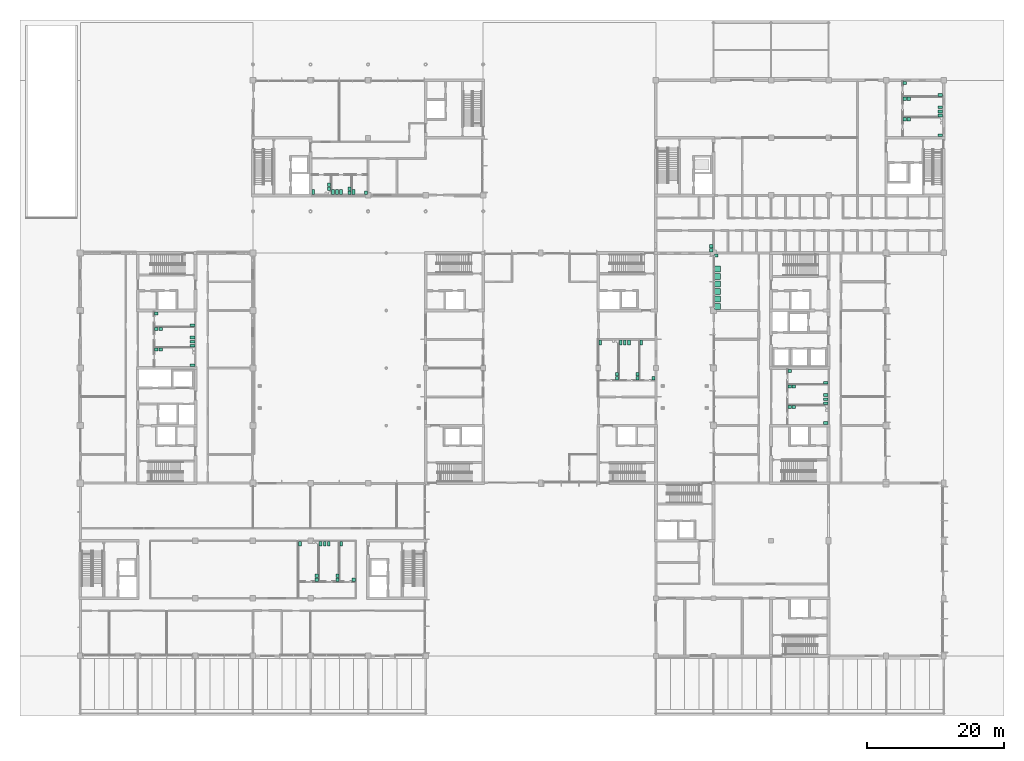
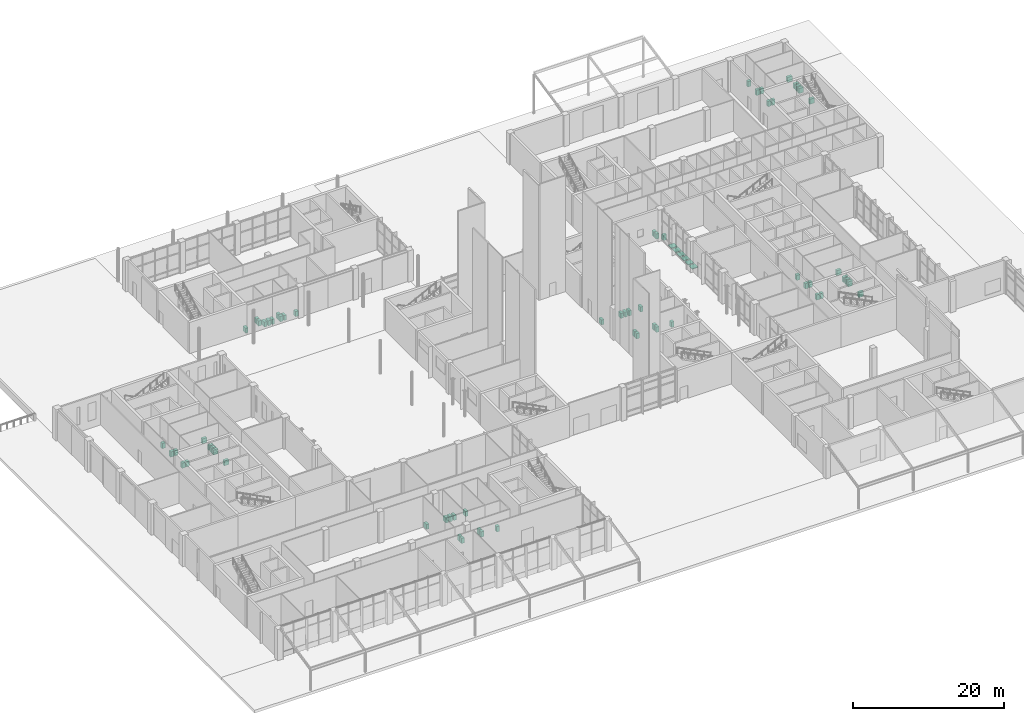
# One storey, part 73 of 76: 69 sanitary terminals.
"""IFC4 building model written with IfcOpenShell, lengths in metres."""

from ifc_helpers import new_model, si_unit, direction, frame, origin, origin_2d, place, context, subcontext, project, spatial, rectangle, extrude, element, save


model = new_model("IFC4")

# Units and contexts
model_context = context("Model", 3, precision=1e-05, world=origin(), true_north=direction((0.0, 1.0)))
body_context = subcontext(model_context, "Body", "Model", "MODEL_VIEW")
ifc_project = project(units=[si_unit("LENGTHUNIT", "METRE"), si_unit("AREAUNIT", "SQUARE_METRE"), si_unit("VOLUMEUNIT", "CUBIC_METRE"), si_unit("PLANEANGLEUNIT", "RADIAN"), si_unit("MASSUNIT", "GRAM", prefix="KILO")], contexts=[model_context])

# Site, building, storey
site_placement = place(None, origin())
site = spatial("IfcSite", under=ifc_project, at=site_placement, CompositionType="ELEMENT")
building_placement = place(site_placement, origin())
building = spatial("IfcBuilding", under=site, at=building_placement, Name="Hlaing Beacon Police Headquarters", CompositionType="ELEMENT")
storey_placement = place(building_placement, origin())
storey = spatial("IfcBuildingStorey", under=building, at=storey_placement, Name="L00", CompositionType="ELEMENT", Elevation=0.0)

# Sanitary terminals
sanitary_terminal_1_placement = place(storey_placement, frame((90.262939453125, 54.14990234375, 0.0), z_axis=(0.0, 0.0, 1.0), x_axis=(1.0, 0.0, 0.0)))
element("IfcSanitaryTerminal", 1, at=sanitary_terminal_1_placement, inside=storey, Name="Water closet", PredefinedType="TOILETPAN", context=body_context, shape_type="SweptSolid", body=[
    extrude(rectangle(XDim=0.39990234375, YDim=0.699951171875, at=origin_2d()), origin(), (0.0, 0.0, 1.0), 0.800048828125),
])
sanitary_terminal_2_placement = place(storey_placement, frame((92.02490234375, 48.912109375, 0.0), z_axis=(0.0, 0.0, 1.0), x_axis=(1.0, 0.0, 0.0)))
element("IfcSanitaryTerminal", 2, at=sanitary_terminal_2_placement, inside=storey, Name="Wash basin", PredefinedType="WASHHANDBASIN", context=body_context, shape_type="SweptSolid", body=[
    extrude(rectangle(XDim=0.449951171875, YDim=0.5, at=origin_2d()), origin(), (0.0, 0.0, 1.0), 0.85009765625),
])
for number, where, z_axis, x_axis, name in (
    (3, (87.261962890625, 54.14990234375, 0.0), (0.0, 0.0, 1.0), (1.0, 0.0, 0.0), "Water closet"),
    (4, (87.863037109375, 54.14990234375, 0.0), (0.0, 0.0, 1.0), (1.0, 0.0, 0.0), "Water closet"),
    (5, (88.462890625, 54.14990234375, 0.0), (0.0, 0.0, 1.0), (1.0, 0.0, 0.0), "Water closet"),
):
    element("IfcSanitaryTerminal", number, at=place(storey_placement, frame(where, z_axis=z_axis, x_axis=x_axis)), inside=storey, Name=name, PredefinedType="TOILETPAN", context=body_context, shape_type="SweptSolid", body=[
        extrude(rectangle(XDim=0.39990234375, YDim=0.699951171875, at=origin_2d()), origin(), (0.0, 0.0, 1.0), 0.800048828125),
    ])
for number, where, z_axis, x_axis, name in (
    (6, (89.7119140625, 48.912109375, 0.0), (0.0, 0.0, 1.0), (1.0, 0.0, 0.0), "Wash basin"),
    (7, (89.7119140625, 49.512939453125, 0.0), (0.0, 0.0, 1.0), (1.0, 0.0, 0.0), "Wash basin"),
):
    element("IfcSanitaryTerminal", number, at=place(storey_placement, frame(where, z_axis=z_axis, x_axis=x_axis)), inside=storey, Name=name, PredefinedType="WASHHANDBASIN", context=body_context, shape_type="SweptSolid", body=[
        extrude(rectangle(XDim=0.449951171875, YDim=0.5, at=origin_2d()), origin(), (0.0, 0.0, 1.0), 0.85009765625),
    ])
sanitary_terminal_3_placement = place(storey_placement, frame((84.262939453125, 54.14990234375, 0.0), z_axis=(0.0, 0.0, 1.0), x_axis=(1.0, 0.0, 0.0)))
element("IfcSanitaryTerminal", 8, at=sanitary_terminal_3_placement, inside=storey, Name="Water closet", PredefinedType="TOILETPAN", context=body_context, shape_type="SweptSolid", body=[
    extrude(rectangle(XDim=0.39990234375, YDim=0.699951171875, at=origin_2d()), origin(), (0.0, 0.0, 1.0), 0.800048828125),
])
for number, where, z_axis, x_axis, name in (
    (9, (86.712890625, 48.912109375, 0.0), (0.0, 0.0, 1.0), (1.0, 0.0, 0.0), "Wash basin"),
    (10, (86.712890625, 49.512939453125, 0.0), (0.0, 0.0, 1.0), (1.0, 0.0, 0.0), "Wash basin"),
):
    element("IfcSanitaryTerminal", number, at=place(storey_placement, frame(where, z_axis=z_axis, x_axis=x_axis)), inside=storey, Name=name, PredefinedType="WASHHANDBASIN", context=body_context, shape_type="SweptSolid", body=[
        extrude(rectangle(XDim=0.449951171875, YDim=0.5, at=origin_2d()), origin(), (0.0, 0.0, 1.0), 0.85009765625),
    ])
sanitary_terminal_4_placement = place(storey_placement, frame((48.262939453125, 76.10009765625, 0.0), z_axis=(0.0, 0.0, 1.0), x_axis=(1.0, 0.0, 0.0)))
element("IfcSanitaryTerminal", 11, at=sanitary_terminal_4_placement, inside=storey, Name="Water closet", PredefinedType="TOILETPAN", context=body_context, shape_type="SweptSolid", body=[
    extrude(rectangle(XDim=0.39990234375, YDim=0.699951171875, at=origin_2d()), origin(), (0.0, 0.0, 1.0), 0.800048828125),
])
sanitary_terminal_5_placement = place(storey_placement, frame((50.074951171875, 76.0, 0.0), z_axis=(0.0, 0.0, 1.0), x_axis=(1.0, 0.0, 0.0)))
element("IfcSanitaryTerminal", 12, at=sanitary_terminal_5_placement, inside=storey, Name="Wash basin", PredefinedType="WASHHANDBASIN", context=body_context, shape_type="SweptSolid", body=[
    extrude(rectangle(XDim=0.449951171875, YDim=0.5, at=origin_2d()), origin(), (0.0, 0.0, 1.0), 0.85009765625),
])
for number, where, z_axis, x_axis, name in (
    (13, (45.261962890625, 76.10009765625, 0.0), (0.0, 0.0, 1.0), (1.0, 0.0, 0.0), "Water closet"),
    (14, (45.863037109375, 76.10009765625, 0.0), (0.0, 0.0, 1.0), (1.0, 0.0, 0.0), "Water closet"),
    (15, (46.4619140625, 76.10009765625, 0.0), (0.0, 0.0, 1.0), (1.0, 0.0, 0.0), "Water closet"),
):
    element("IfcSanitaryTerminal", number, at=place(storey_placement, frame(where, z_axis=z_axis, x_axis=x_axis)), inside=storey, Name=name, PredefinedType="TOILETPAN", context=body_context, shape_type="SweptSolid", body=[
        extrude(rectangle(XDim=0.39990234375, YDim=0.699951171875, at=origin_2d()), origin(), (0.0, 0.0, 1.0), 0.800048828125),
    ])
for number, where, z_axis, x_axis, name in (
    (16, (47.712890625, 76.0, 0.0), (0.0, 0.0, 1.0), (1.0, 0.0, 0.0), "Wash basin"),
    (17, (47.712890625, 76.60009765625, 0.0), (0.0, 0.0, 1.0), (1.0, 0.0, 0.0), "Wash basin"),
):
    element("IfcSanitaryTerminal", number, at=place(storey_placement, frame(where, z_axis=z_axis, x_axis=x_axis)), inside=storey, Name=name, PredefinedType="WASHHANDBASIN", context=body_context, shape_type="SweptSolid", body=[
        extrude(rectangle(XDim=0.449951171875, YDim=0.5, at=origin_2d()), origin(), (0.0, 0.0, 1.0), 0.85009765625),
    ])
sanitary_terminal_6_placement = place(storey_placement, frame((42.39990234375, 76.10009765625, 0.0), z_axis=(0.0, 0.0, 1.0), x_axis=(1.0, 0.0, 0.0)))
element("IfcSanitaryTerminal", 18, at=sanitary_terminal_6_placement, inside=storey, Name="Water closet", PredefinedType="TOILETPAN", context=body_context, shape_type="SweptSolid", body=[
    extrude(rectangle(XDim=0.39990234375, YDim=0.699951171875, at=origin_2d()), origin(), (0.0, 0.0, 1.0), 0.800048828125),
])
for number, where, z_axis, x_axis, name in (
    (19, (44.712890625, 76.550048828125, 0.0), (0.0, 0.0, 1.0), (1.0, 0.0, 0.0), "Wash basin"),
    (20, (44.712890625, 77.14990234375, 0.0), (0.0, 0.0, 1.0), (1.0, 0.0, 0.0), "Wash basin"),
):
    element("IfcSanitaryTerminal", number, at=place(storey_placement, frame(where, z_axis=z_axis, x_axis=x_axis)), inside=storey, Name=name, PredefinedType="WASHHANDBASIN", context=body_context, shape_type="SweptSolid", body=[
        extrude(rectangle(XDim=0.449951171875, YDim=0.5, at=origin_2d()), origin(), (0.0, 0.0, 1.0), 0.85009765625),
    ])
sanitary_terminal_7_placement = place(storey_placement, frame((46.462890625, 24.77490234375, 0.0), z_axis=(0.0, 0.0, 1.0), x_axis=(1.0, 0.0, 0.0)))
element("IfcSanitaryTerminal", 21, at=sanitary_terminal_7_placement, inside=storey, Name="Water closet", PredefinedType="TOILETPAN", context=body_context, shape_type="SweptSolid", body=[
    extrude(rectangle(XDim=0.39990234375, YDim=0.699951171875, at=origin_2d()), origin(), (0.0, 0.0, 1.0), 0.800048828125),
])
sanitary_terminal_8_placement = place(storey_placement, frame((48.300048828125, 19.511962890625, 0.0), z_axis=(0.0, 0.0, 1.0), x_axis=(1.0, 0.0, 0.0)))
element("IfcSanitaryTerminal", 22, at=sanitary_terminal_8_placement, inside=storey, Name="Wash basin", PredefinedType="WASHHANDBASIN", context=body_context, shape_type="SweptSolid", body=[
    extrude(rectangle(XDim=0.449951171875, YDim=0.5, at=origin_2d()), origin(), (0.0, 0.0, 1.0), 0.85009765625),
])
for number, where, z_axis, x_axis, name in (
    (23, (43.462890625, 24.77490234375, 0.0), (0.0, 0.0, 1.0), (1.0, 0.0, 0.0), "Water closet"),
    (24, (44.06201171875, 24.77490234375, 0.0), (0.0, 0.0, 1.0), (1.0, 0.0, 0.0), "Water closet"),
    (25, (44.6630859375, 24.77490234375, 0.0), (0.0, 0.0, 1.0), (1.0, 0.0, 0.0), "Water closet"),
):
    element("IfcSanitaryTerminal", number, at=place(storey_placement, frame(where, z_axis=z_axis, x_axis=x_axis)), inside=storey, Name=name, PredefinedType="TOILETPAN", context=body_context, shape_type="SweptSolid", body=[
        extrude(rectangle(XDim=0.39990234375, YDim=0.699951171875, at=origin_2d()), origin(), (0.0, 0.0, 1.0), 0.800048828125),
    ])
for number, where, z_axis, x_axis, name in (
    (26, (45.912109375, 19.511962890625, 0.0), (0.0, 0.0, 1.0), (1.0, 0.0, 0.0), "Wash basin"),
    (27, (45.912109375, 20.113037109375, 0.0), (0.0, 0.0, 1.0), (1.0, 0.0, 0.0), "Wash basin"),
):
    element("IfcSanitaryTerminal", number, at=place(storey_placement, frame(where, z_axis=z_axis, x_axis=x_axis)), inside=storey, Name=name, PredefinedType="WASHHANDBASIN", context=body_context, shape_type="SweptSolid", body=[
        extrude(rectangle(XDim=0.449951171875, YDim=0.5, at=origin_2d()), origin(), (0.0, 0.0, 1.0), 0.85009765625),
    ])
sanitary_terminal_9_placement = place(storey_placement, frame((40.462890625, 24.77490234375, 0.0), z_axis=(0.0, 0.0, 1.0), x_axis=(1.0, 0.0, 0.0)))
element("IfcSanitaryTerminal", 28, at=sanitary_terminal_9_placement, inside=storey, Name="Water closet", PredefinedType="TOILETPAN", context=body_context, shape_type="SweptSolid", body=[
    extrude(rectangle(XDim=0.39990234375, YDim=0.699951171875, at=origin_2d()), origin(), (0.0, 0.0, 1.0), 0.800048828125),
])
for number, where, z_axis, x_axis, name in (
    (29, (42.912109375, 19.511962890625, 0.0), (0.0, 0.0, 1.0), (1.0, 0.0, 0.0), "Wash basin"),
    (30, (42.912109375, 20.113037109375, 0.0), (0.0, 0.0, 1.0), (1.0, 0.0, 0.0), "Wash basin"),
):
    element("IfcSanitaryTerminal", number, at=place(storey_placement, frame(where, z_axis=z_axis, x_axis=x_axis)), inside=storey, Name=name, PredefinedType="WASHHANDBASIN", context=body_context, shape_type="SweptSolid", body=[
        extrude(rectangle(XDim=0.449951171875, YDim=0.5, at=origin_2d()), origin(), (0.0, 0.0, 1.0), 0.85009765625),
    ])
sanitary_terminal_10_placement = place(storey_placement, frame((117.175048828125, 48.262939453125, 0.0), z_axis=(0.0, 0.0, 1.0), x_axis=(1.0, 0.0, 0.0)))
element("IfcSanitaryTerminal", 31, at=sanitary_terminal_10_placement, inside=storey, Name="Water closet", PredefinedType="TOILETPAN", context=body_context, shape_type="SweptSolid", body=[
    extrude(rectangle(XDim=0.699951171875, YDim=0.39990234375, at=origin_2d()), origin(), (0.0, 0.0, 1.0), 0.800048828125),
])
sanitary_terminal_11_placement = place(storey_placement, frame((111.912109375, 49.97509765625, 0.0), z_axis=(0.0, 0.0, 1.0), x_axis=(1.0, 0.0, 0.0)))
element("IfcSanitaryTerminal", 32, at=sanitary_terminal_11_placement, inside=storey, Name="Wash basin", PredefinedType="WASHHANDBASIN", context=body_context, shape_type="SweptSolid", body=[
    extrude(rectangle(XDim=0.5, YDim=0.449951171875, at=origin_2d()), origin(), (0.0, 0.0, 1.0), 0.85009765625),
])
for number, where, z_axis, x_axis, name in (
    (33, (117.175048828125, 45.261962890625, 0.0), (0.0, 0.0, 1.0), (1.0, 0.0, 0.0), "Water closet"),
    (34, (117.175048828125, 45.863037109375, 0.0), (0.0, 0.0, 1.0), (1.0, 0.0, 0.0), "Water closet"),
    (35, (117.175048828125, 46.4619140625, 0.0), (0.0, 0.0, 1.0), (1.0, 0.0, 0.0), "Water closet"),
):
    element("IfcSanitaryTerminal", number, at=place(storey_placement, frame(where, z_axis=z_axis, x_axis=x_axis)), inside=storey, Name=name, PredefinedType="TOILETPAN", context=body_context, shape_type="SweptSolid", body=[
        extrude(rectangle(XDim=0.699951171875, YDim=0.39990234375, at=origin_2d()), origin(), (0.0, 0.0, 1.0), 0.800048828125),
    ])
for number, where, z_axis, x_axis, name in (
    (36, (111.912109375, 47.712890625, 0.0), (0.0, 0.0, 1.0), (1.0, 0.0, 0.0), "Wash basin"),
    (37, (112.511962890625, 47.712890625, 0.0), (0.0, 0.0, 1.0), (1.0, 0.0, 0.0), "Wash basin"),
):
    element("IfcSanitaryTerminal", number, at=place(storey_placement, frame(where, z_axis=z_axis, x_axis=x_axis)), inside=storey, Name=name, PredefinedType="WASHHANDBASIN", context=body_context, shape_type="SweptSolid", body=[
        extrude(rectangle(XDim=0.5, YDim=0.449951171875, at=origin_2d()), origin(), (0.0, 0.0, 1.0), 0.85009765625),
    ])
sanitary_terminal_12_placement = place(storey_placement, frame((117.175048828125, 42.39990234375, 0.0), z_axis=(0.0, 0.0, 1.0), x_axis=(1.0, 0.0, 0.0)))
element("IfcSanitaryTerminal", 38, at=sanitary_terminal_12_placement, inside=storey, Name="Water closet", PredefinedType="TOILETPAN", context=body_context, shape_type="SweptSolid", body=[
    extrude(rectangle(XDim=0.699951171875, YDim=0.39990234375, at=origin_2d()), origin(), (0.0, 0.0, 1.0), 0.800048828125),
])
for number, where, z_axis, x_axis, name in (
    (39, (111.912109375, 44.712890625, 0.0), (0.0, 0.0, 1.0), (1.0, 0.0, 0.0), "Wash basin"),
    (40, (112.511962890625, 44.712890625, 0.0), (0.0, 0.0, 1.0), (1.0, 0.0, 0.0), "Wash basin"),
):
    element("IfcSanitaryTerminal", number, at=place(storey_placement, frame(where, z_axis=z_axis, x_axis=x_axis)), inside=storey, Name=name, PredefinedType="WASHHANDBASIN", context=body_context, shape_type="SweptSolid", body=[
        extrude(rectangle(XDim=0.5, YDim=0.449951171875, at=origin_2d()), origin(), (0.0, 0.0, 1.0), 0.85009765625),
    ])
for number, where, z_axis, x_axis, name in (
    (41, (101.39990234375, 59.375, 0.0), (0.0, 0.0, 1.0), (1.0, 0.0, 0.0), "Shower tray"),
    (42, (101.39990234375, 60.47509765625, 0.0), (0.0, 0.0, 1.0), (1.0, 0.0, 0.0), "Shower tray"),
    (43, (101.39990234375, 61.574951171875, 0.0), (0.0, 0.0, 1.0), (1.0, 0.0, 0.0), "Shower tray"),
    (44, (101.39990234375, 62.675048828125, 0.0), (0.0, 0.0, 1.0), (1.0, 0.0, 0.0), "Shower tray"),
    (45, (101.39990234375, 63.77490234375, 0.0), (0.0, 0.0, 1.0), (1.0, 0.0, 0.0), "Shower tray"),
    (46, (101.39990234375, 64.875, 0.0), (0.0, 0.0, 1.0), (1.0, 0.0, 0.0), "Shower tray"),
):
    element("IfcSanitaryTerminal", number, at=place(storey_placement, frame(where, z_axis=z_axis, x_axis=x_axis)), inside=storey, Name=name, PredefinedType="SHOWER", context=body_context, shape_type="SweptSolid", body=[
        extrude(rectangle(XDim=0.89990234375, YDim=0.89990234375, at=origin_2d()), origin(), (0.0, 0.0, 1.0), 0.10009765625),
    ])
sanitary_terminal_13_placement = place(storey_placement, frame((101.199951171875, 66.824951171875, 0.0), z_axis=(0.0, 0.0, 1.0), x_axis=(1.0, 0.0, 0.0)))
element("IfcSanitaryTerminal", 47, at=sanitary_terminal_13_placement, inside=storey, Name="Wash basin", PredefinedType="WASHHANDBASIN", context=body_context, shape_type="SweptSolid", body=[
    extrude(rectangle(XDim=0.5, YDim=0.449951171875, at=origin_2d()), origin(), (0.0, 0.0, 1.0), 0.85009765625),
])
sanitary_terminal_14_placement = place(storey_placement, frame((24.77490234375, 56.6630859375, 0.0), z_axis=(0.0, 0.0, 1.0), x_axis=(1.0, 0.0, 0.0)))
element("IfcSanitaryTerminal", 48, at=sanitary_terminal_14_placement, inside=storey, Name="Water closet", PredefinedType="TOILETPAN", context=body_context, shape_type="SweptSolid", body=[
    extrude(rectangle(XDim=0.699951171875, YDim=0.39990234375, at=origin_2d()), origin(), (0.0, 0.0, 1.0), 0.800048828125),
])
sanitary_terminal_15_placement = place(storey_placement, frame((19.511962890625, 58.375, 0.0), z_axis=(0.0, 0.0, 1.0), x_axis=(1.0, 0.0, 0.0)))
element("IfcSanitaryTerminal", 49, at=sanitary_terminal_15_placement, inside=storey, Name="Wash basin", PredefinedType="WASHHANDBASIN", context=body_context, shape_type="SweptSolid", body=[
    extrude(rectangle(XDim=0.5, YDim=0.449951171875, at=origin_2d()), origin(), (0.0, 0.0, 1.0), 0.85009765625),
])
for number, where, z_axis, x_axis, name in (
    (50, (24.77490234375, 53.6630859375, 0.0), (0.0, 0.0, 1.0), (1.0, 0.0, 0.0), "Water closet"),
    (51, (24.77490234375, 54.261962890625, 0.0), (0.0, 0.0, 1.0), (1.0, 0.0, 0.0), "Water closet"),
    (52, (24.77490234375, 54.863037109375, 0.0), (0.0, 0.0, 1.0), (1.0, 0.0, 0.0), "Water closet"),
):
    element("IfcSanitaryTerminal", number, at=place(storey_placement, frame(where, z_axis=z_axis, x_axis=x_axis)), inside=storey, Name=name, PredefinedType="TOILETPAN", context=body_context, shape_type="SweptSolid", body=[
        extrude(rectangle(XDim=0.699951171875, YDim=0.39990234375, at=origin_2d()), origin(), (0.0, 0.0, 1.0), 0.800048828125),
    ])
for number, where, z_axis, x_axis, name in (
    (53, (19.511962890625, 56.112060546875, 0.0), (0.0, 0.0, 1.0), (1.0, 0.0, 0.0), "Wash basin"),
    (54, (20.113037109375, 56.112060546875, 0.0), (0.0, 0.0, 1.0), (1.0, 0.0, 0.0), "Wash basin"),
):
    element("IfcSanitaryTerminal", number, at=place(storey_placement, frame(where, z_axis=z_axis, x_axis=x_axis)), inside=storey, Name=name, PredefinedType="WASHHANDBASIN", context=body_context, shape_type="SweptSolid", body=[
        extrude(rectangle(XDim=0.5, YDim=0.449951171875, at=origin_2d()), origin(), (0.0, 0.0, 1.0), 0.85009765625),
    ])
sanitary_terminal_16_placement = place(storey_placement, frame((24.77490234375, 50.800048828125, 0.0), z_axis=(0.0, 0.0, 1.0), x_axis=(1.0, 0.0, 0.0)))
element("IfcSanitaryTerminal", 55, at=sanitary_terminal_16_placement, inside=storey, Name="Water closet", PredefinedType="TOILETPAN", context=body_context, shape_type="SweptSolid", body=[
    extrude(rectangle(XDim=0.699951171875, YDim=0.39990234375, at=origin_2d()), origin(), (0.0, 0.0, 1.0), 0.800048828125),
])
for number, where, z_axis, x_axis, name in (
    (56, (19.511962890625, 53.112060546875, 0.0), (0.0, 0.0, 1.0), (1.0, 0.0, 0.0), "Wash basin"),
    (57, (20.113037109375, 53.112060546875, 0.0), (0.0, 0.0, 1.0), (1.0, 0.0, 0.0), "Wash basin"),
):
    element("IfcSanitaryTerminal", number, at=place(storey_placement, frame(where, z_axis=z_axis, x_axis=x_axis)), inside=storey, Name=name, PredefinedType="WASHHANDBASIN", context=body_context, shape_type="SweptSolid", body=[
        extrude(rectangle(XDim=0.5, YDim=0.449951171875, at=origin_2d()), origin(), (0.0, 0.0, 1.0), 0.85009765625),
    ])
for number, where, z_axis, x_axis, name in (
    (58, (100.47509765625, 67.60009765625, 0.0), (0.0, 0.0, 1.0), (1.0, 0.0, 0.0), "Wash basin"),
    (59, (100.47509765625, 68.199951171875, 0.0), (0.0, 0.0, 1.0), (1.0, 0.0, 0.0), "Wash basin"),
):
    element("IfcSanitaryTerminal", number, at=place(storey_placement, frame(where, z_axis=z_axis, x_axis=x_axis)), inside=storey, Name=name, PredefinedType="WASHHANDBASIN", context=body_context, shape_type="SweptSolid", body=[
        extrude(rectangle(XDim=0.449951171875, YDim=0.5, at=origin_2d()), origin(), (0.0, 0.0, 1.0), 0.85009765625),
    ])
sanitary_terminal_17_placement = place(storey_placement, frame((133.89990234375, 90.261962890625, 0.0), z_axis=(0.0, 0.0, 1.0), x_axis=(1.0, 0.0, 0.0)))
element("IfcSanitaryTerminal", 60, at=sanitary_terminal_17_placement, inside=storey, Name="Water closet", PredefinedType="TOILETPAN", context=body_context, shape_type="SweptSolid", body=[
    extrude(rectangle(XDim=0.699951171875, YDim=0.39990234375, at=origin_2d()), origin(), (0.0, 0.0, 1.0), 0.800048828125),
])
sanitary_terminal_18_placement = place(storey_placement, frame((128.712890625, 92.02490234375, 0.0), z_axis=(0.0, 0.0, 1.0), x_axis=(1.0, 0.0, 0.0)))
element("IfcSanitaryTerminal", 61, at=sanitary_terminal_18_placement, inside=storey, Name="Wash basin", PredefinedType="WASHHANDBASIN", context=body_context, shape_type="SweptSolid", body=[
    extrude(rectangle(XDim=0.5, YDim=0.449951171875, at=origin_2d()), origin(), (0.0, 0.0, 1.0), 0.85009765625),
])
for number, where, z_axis, x_axis, name in (
    (62, (133.89990234375, 87.262939453125, 0.0), (0.0, 0.0, 1.0), (1.0, 0.0, 0.0), "Water closet"),
    (63, (133.89990234375, 87.862060546875, 0.0), (0.0, 0.0, 1.0), (1.0, 0.0, 0.0), "Water closet"),
    (64, (133.89990234375, 88.4619140625, 0.0), (0.0, 0.0, 1.0), (1.0, 0.0, 0.0), "Water closet"),
):
    element("IfcSanitaryTerminal", number, at=place(storey_placement, frame(where, z_axis=z_axis, x_axis=x_axis)), inside=storey, Name=name, PredefinedType="TOILETPAN", context=body_context, shape_type="SweptSolid", body=[
        extrude(rectangle(XDim=0.699951171875, YDim=0.39990234375, at=origin_2d()), origin(), (0.0, 0.0, 1.0), 0.800048828125),
    ])
for number, where, z_axis, x_axis, name in (
    (65, (128.712890625, 89.7119140625, 0.0), (0.0, 0.0, 1.0), (1.0, 0.0, 0.0), "Wash basin"),
    (66, (129.31201171875, 89.7119140625, 0.0), (0.0, 0.0, 1.0), (1.0, 0.0, 0.0), "Wash basin"),
):
    element("IfcSanitaryTerminal", number, at=place(storey_placement, frame(where, z_axis=z_axis, x_axis=x_axis)), inside=storey, Name=name, PredefinedType="WASHHANDBASIN", context=body_context, shape_type="SweptSolid", body=[
        extrude(rectangle(XDim=0.5, YDim=0.449951171875, at=origin_2d()), origin(), (0.0, 0.0, 1.0), 0.85009765625),
    ])
sanitary_terminal_19_placement = place(storey_placement, frame((133.89990234375, 84.39990234375, 0.0), z_axis=(0.0, 0.0, 1.0), x_axis=(1.0, 0.0, 0.0)))
element("IfcSanitaryTerminal", 67, at=sanitary_terminal_19_placement, inside=storey, Name="Water closet", PredefinedType="TOILETPAN", context=body_context, shape_type="SweptSolid", body=[
    extrude(rectangle(XDim=0.699951171875, YDim=0.39990234375, at=origin_2d()), origin(), (0.0, 0.0, 1.0), 0.800048828125),
])
for number, where, z_axis, x_axis, name in (
    (68, (128.712890625, 86.712890625, 0.0), (0.0, 0.0, 1.0), (1.0, 0.0, 0.0), "Wash basin"),
    (69, (129.31201171875, 86.712890625, 0.0), (0.0, 0.0, 1.0), (1.0, 0.0, 0.0), "Wash basin"),
):
    element("IfcSanitaryTerminal", number, at=place(storey_placement, frame(where, z_axis=z_axis, x_axis=x_axis)), inside=storey, Name=name, PredefinedType="WASHHANDBASIN", context=body_context, shape_type="SweptSolid", body=[
        extrude(rectangle(XDim=0.5, YDim=0.449951171875, at=origin_2d()), origin(), (0.0, 0.0, 1.0), 0.85009765625),
    ])

save(model, "model.ifc")
